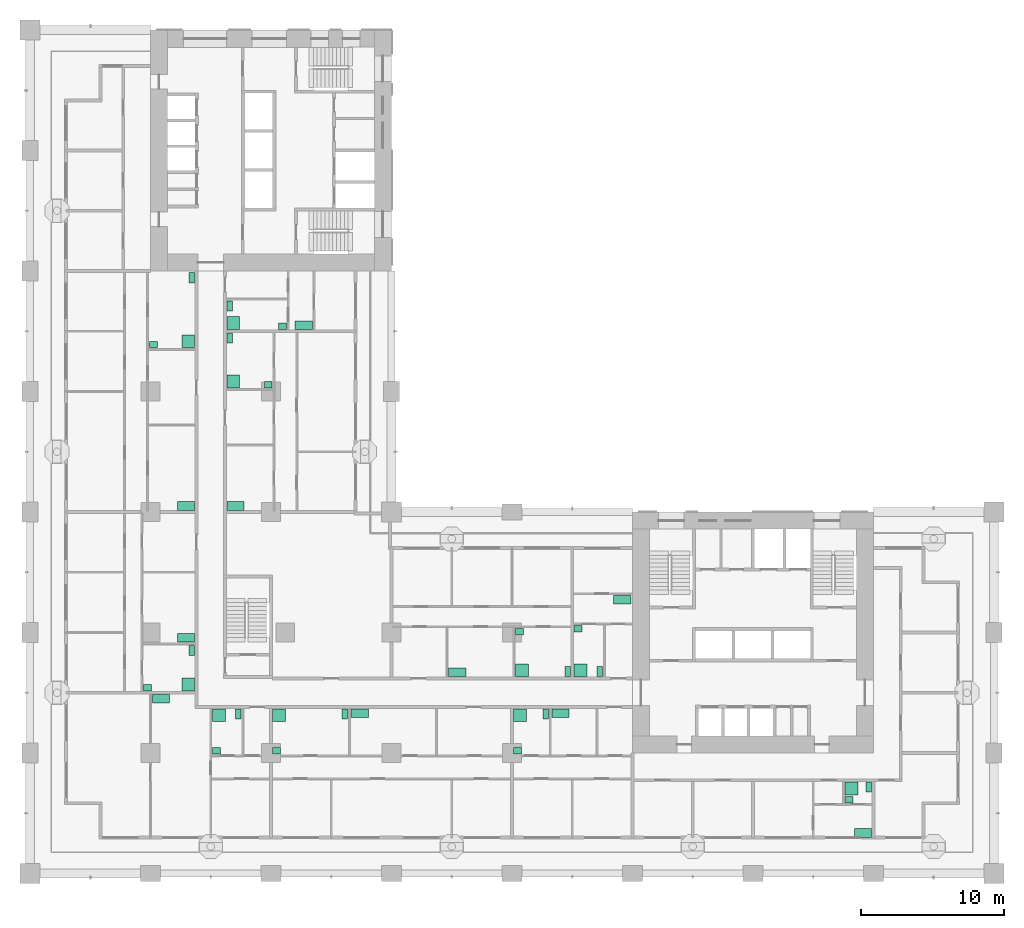
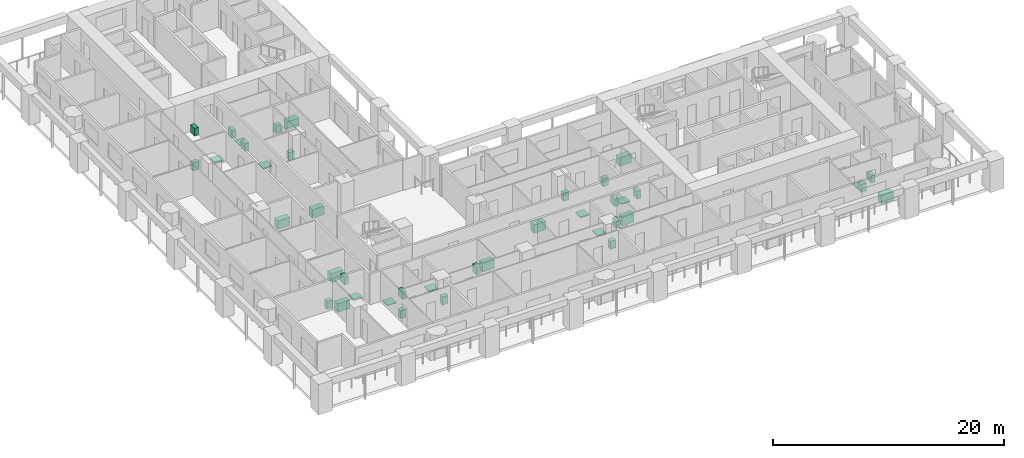
# One storey, part 18 of 20: 40 sanitary terminals.
"""IFC4 building model written with IfcOpenShell, lengths in metres."""

import ifcopenshell
import ifcopenshell.guid

model = None  # the IFC model being written
_history = None  # IfcOwnerHistory: only IFC2X3 demands one
_inside = {}  # id of a spatial element -> (the spatial element, [elements in it])
_under = {}  # id of a project, library or spatial element -> (it, [spatial elements below it])
_declared = {}  # id of a project -> (the project, [libraries it declares])
_typed = {}  # id of a type object -> (the type object, [elements of that type])
_made_of = {}  # id of a material, layer set ... -> (it, [elements and type objects made of it])


def new_model(schema):
    """Start an empty IFC model of exactly this schema.

    Asked for "IFC4X3", IfcOpenShell would pick the latest addendum, in which some entities
    have other attributes; the version numbers below select the first issue.
    IFC2X3 requires an IfcOwnerHistory on every rooted entity: one is made here for all.
    """
    global model, _history
    if schema == "IFC4X3":
        model = ifcopenshell.file(schema_version=(4, 3, 0, 0))
    else:
        model = ifcopenshell.file(schema=schema)
    _inside.clear()
    _under.clear()
    _declared.clear()
    _typed.clear()
    _made_of.clear()
    _history = None
    if model.schema == "IFC2X3":
        org = make("IfcOrganization", Name="unknown")
        user = make(
            "IfcPersonAndOrganization",
            ThePerson=make("IfcPerson", FamilyName="unknown"),
            TheOrganization=org,
        )
        app = make(
            "IfcApplication",
            ApplicationDeveloper=org,
            Version="unknown",
            ApplicationFullName="unknown",
            ApplicationIdentifier="unknown",
        )
        _history = make(
            "IfcOwnerHistory",
            OwningUser=user,
            OwningApplication=app,
            ChangeAction="ADDED",
            CreationDate=0,
        )
    return model


def make(cls, **values):
    """One entity of the class cls with the attributes given. An attribute that is None is left unset."""
    return model.create_entity(
        cls, **{name: value for name, value in values.items() if value is not None}
    )


def rooted(cls, **values):
    """An entity with a GlobalId (a new one), such as an element, a storey or a relation."""
    return make(cls, GlobalId=ifcopenshell.guid.new(), OwnerHistory=_history, **values)


def si_unit(unit_type, name, prefix=None):
    """IfcSIUnit, for example si_unit("LENGTHUNIT", "METRE", prefix="MILLI")."""
    return make("IfcSIUnit", UnitType=unit_type, Prefix=prefix, Name=name)


def assignment(units):
    """IfcUnitAssignment: the units of a project."""
    return None if units is None else make("IfcUnitAssignment", Units=units)


def point(xyz):
    """IfcCartesianPoint."""
    return None if xyz is None else make("IfcCartesianPoint", Coordinates=xyz)


def direction(xyz):
    """IfcDirection."""
    return None if xyz is None else make("IfcDirection", DirectionRatios=xyz)


def frame(location, z_axis=None, x_axis=None):
    """IfcAxis2Placement3D, a coordinate frame: its origin and axes. An axis left out is left unset."""
    return make(
        "IfcAxis2Placement3D",
        Location=point(location),
        Axis=direction(z_axis),
        RefDirection=direction(x_axis),
    )


def frame_2d(location, x_axis=None):
    """IfcAxis2Placement2D, a coordinate frame in the plane: its origin and x axis."""
    return make(
        "IfcAxis2Placement2D", Location=point(location), RefDirection=direction(x_axis)
    )


def origin():
    """The frame at (0, 0, 0) with its axes left unset."""
    return frame((0.0, 0.0, 0.0))


def origin_2d():
    """The frame at (0, 0) in the plane with its x axis left unset."""
    return frame_2d((0.0, 0.0))


def place(relative_to, where):
    """IfcLocalPlacement: puts the frame where relative to a parent placement (None: the world)."""
    return make(
        "IfcLocalPlacement", PlacementRelTo=relative_to, RelativePlacement=where
    )


def context(
    kind, dimensions, precision=None, world=None, true_north=None, identifier=None
):
    """IfcGeometricRepresentationContext, for example the 3D "Model" context."""
    return make(
        "IfcGeometricRepresentationContext",
        ContextIdentifier=identifier,
        ContextType=kind,
        CoordinateSpaceDimension=dimensions,
        Precision=precision,
        WorldCoordinateSystem=world,
        TrueNorth=true_north,
    )


def subcontext(parent, identifier, kind, view, scale=None):
    """IfcGeometricRepresentationSubContext, for example "Body" below "Model"."""
    return make(
        "IfcGeometricRepresentationSubContext",
        ContextIdentifier=identifier,
        ContextType=kind,
        ParentContext=parent,
        TargetScale=scale,
        TargetView=view,
    )


def project(units=None, contexts=None):
    """IfcProject with its units and contexts."""
    return rooted(
        "IfcProject",
        Name="project",
        RepresentationContexts=contexts,
        UnitsInContext=assignment(units),
    )


def spatial(cls, under=None, at=None, **own):
    """A site, building, storey or space (cls), placed at a placement, below another one or the project."""
    s = rooted(cls, ObjectPlacement=at, **own)
    if under is not None:
        _under.setdefault(under.id(), (under, []))[1].append(s)
    return s


def profile(cls, at=None, kind="AREA", **sizes):
    """A parametric profile (cls). Its sizes go by their IFC names, for example OverallWidth=200.0."""
    return make(cls, ProfileType=kind, Position=at, **sizes)


def rectangle(**sizes):
    """IfcRectangleProfileDef."""
    return profile("IfcRectangleProfileDef", **sizes)


def extrude(swept, where, along, depth):
    """IfcExtrudedAreaSolid: the profile swept, set in the frame where, extruded along a direction by depth."""
    return make(
        "IfcExtrudedAreaSolid",
        SweptArea=swept,
        Position=where,
        ExtrudedDirection=direction(along),
        Depth=depth,
    )


def shape(context_of_items, identifier, shape_type, items):
    """IfcShapeRepresentation: the items that make up one representation, for example the "Body"."""
    return make(
        "IfcShapeRepresentation",
        ContextOfItems=context_of_items,
        RepresentationIdentifier=identifier,
        RepresentationType=shape_type,
        Items=items,
    )


def material(Name=None, Category=None):
    """IfcMaterial."""
    return make("IfcMaterial", Name=Name, Category=Category)


def made_of(thing, what):
    """Note that an element or type object is made of a material, layer set ...; save() writes the relation."""
    if what is not None:
        _made_of.setdefault(what.id(), (what, []))[1].append(thing)
    return thing


def element(
    cls,
    number,
    at=None,
    inside=None,
    cuts=None,
    type_object=None,
    material=None,
    context=None,
    identifier="Body",
    shape_type=None,
    held_by="IfcProductDefinitionShape",
    body=None,
    shapes=None,
    **own,
):
    """One element of the class cls, such as IfcWall. Its Tag is "e" and its number.

    at: its placement. inside: the storey or other place that contains it. cuts: it is an
    opening in that element (IfcRelVoidsElement). A single representation is given by context,
    identifier, shape_type and body (its items); several are given by shapes. held_by: the class
    of the entity that holds the representations. save() writes the other relations.
    """
    e = rooted(cls, Tag="e%d" % number, ObjectPlacement=at, **own)
    if body is not None:
        shapes = [shape(context, identifier, shape_type, body)]
    if shapes is not None:
        e.Representation = make(held_by, Representations=shapes)
    if inside is not None:
        _inside.setdefault(inside.id(), (inside, []))[1].append(e)
    if cuts is not None:
        rooted(
            "IfcRelVoidsElement", RelatingBuildingElement=cuts, RelatedOpeningElement=e
        )
    if type_object is not None:
        _typed.setdefault(type_object.id(), (type_object, []))[1].append(e)
    return made_of(e, material)


def aggregate(whole, parts):
    """IfcRelAggregates: a whole, such as a stair, and the parts it consists of."""
    return rooted("IfcRelAggregates", RelatingObject=whole, RelatedObjects=parts)


def save(model, path):
    """Write the relations noted so far, then the file.

    IfcRelAggregates (storeys below a building ...), IfcRelContainedInSpatialStructure (elements
    in a storey), IfcRelDefinesByType, IfcRelAssociatesMaterial and IfcRelDeclares: one each for
    every whole, place, type object, material and project.
    """
    for whole, parts in _under.values():
        aggregate(whole, parts)
    for where, things in _inside.values():
        rooted(
            "IfcRelContainedInSpatialStructure",
            RelatedElements=things,
            RelatingStructure=where,
        )
    for kind, things in _typed.values():
        rooted("IfcRelDefinesByType", RelatedObjects=things, RelatingType=kind)
    for what, things in _made_of.values():
        rooted("IfcRelAssociatesMaterial", RelatedObjects=things, RelatingMaterial=what)
    for by, libraries in _declared.values():
        rooted("IfcRelDeclares", RelatingContext=by, RelatedDefinitions=libraries)
    model.write(path)


model = new_model("IFC4")

# Units and contexts
model_context = context("Model", 3, precision=1e-05, world=origin(), true_north=direction((0.0, 1.0)))
body_context = subcontext(model_context, "Body", "Model", "MODEL_VIEW")
ifc_project = project(units=[si_unit("LENGTHUNIT", "METRE"), si_unit("AREAUNIT", "SQUARE_METRE"), si_unit("VOLUMEUNIT", "CUBIC_METRE"), si_unit("PLANEANGLEUNIT", "RADIAN"), si_unit("MASSUNIT", "GRAM", prefix="KILO")], contexts=[model_context])

# Site, building, storey
site_placement = place(None, origin())
site = spatial("IfcSite", under=ifc_project, at=site_placement, CompositionType="ELEMENT")
building_placement = place(site_placement, origin())
building = spatial("IfcBuilding", under=site, at=building_placement, Name="Vermilion Gate Residences", CompositionType="ELEMENT")
storey_placement = place(building_placement, frame((0.0, 0.0, 39.199951171875)))
storey = spatial("IfcBuildingStorey", under=building, at=storey_placement, Name="L08", CompositionType="ELEMENT", Elevation=39.199951171875)

# Sanitary terminals
ifc_material_1 = material(Name="Stainless steel", Category="steel")
sanitary_terminal_1_placement = place(storey_placement, frame((9.1201171875, 12.179931640625, 0.0), z_axis=(0.0, 0.0, 1.0), x_axis=(1.0, 0.0, 0.0)))
element("IfcSanitaryTerminal", 1, at=sanitary_terminal_1_placement, inside=storey, material=ifc_material_1, Name="Kitchen sink", PredefinedType="SINK", context=body_context, shape_type="SweptSolid", body=[
    extrude(rectangle(XDim=1.199951171875, YDim=0.60009765625, at=origin_2d()), origin(), (0.0, 0.0, 1.0), 0.89990234375),
])
ifc_material_2 = material(Name="Vitreous china")
sanitary_terminal_2_placement = place(storey_placement, frame((13.169921875, 11.030029296875, 0.0), z_axis=(0.0, 0.0, 1.0), x_axis=(1.0, 0.0, 0.0)))
element("IfcSanitaryTerminal", 2, at=sanitary_terminal_2_placement, inside=storey, material=ifc_material_2, Name="Shower tray", PredefinedType="SHOWER", context=body_context, shape_type="SweptSolid", body=[
    extrude(rectangle(XDim=0.89990234375, YDim=0.89990234375, at=origin_2d()), origin(), (0.0, 0.0, 1.0), 0.10009765625),
])
sanitary_terminal_3_placement = place(storey_placement, frame((14.52001953125, 11.1298828125, 0.0), z_axis=(0.0, 0.0, 1.0), x_axis=(1.0, 0.0, 0.0)))
element("IfcSanitaryTerminal", 3, at=sanitary_terminal_3_placement, inside=storey, material=ifc_material_2, Name="Toilet", PredefinedType="TOILETPAN", context=body_context, shape_type="SweptSolid", body=[
    extrude(rectangle(XDim=0.39990234375, YDim=0.699951171875, at=origin_2d()), origin(), (0.0, 0.0, 1.0), 0.800048828125),
])
sanitary_terminal_4_placement = place(storey_placement, frame((12.9951171875, 8.544921875, 0.0), z_axis=(0.0, 0.0, 1.0), x_axis=(1.0, 0.0, 0.0)))
element("IfcSanitaryTerminal", 4, at=sanitary_terminal_4_placement, inside=storey, material=ifc_material_2, Name="Wash basin", PredefinedType="WASHHANDBASIN", context=body_context, shape_type="SweptSolid", body=[
    extrude(rectangle(XDim=0.550048828125, YDim=0.449951171875, at=origin_2d()), origin(), (0.0, 0.0, 1.0), 0.85009765625),
])
sanitary_terminal_5_placement = place(storey_placement, frame((17.3701171875, 11.030029296875, 0.0), z_axis=(0.0, 0.0, 1.0), x_axis=(1.0, 0.0, 0.0)))
element("IfcSanitaryTerminal", 5, at=sanitary_terminal_5_placement, inside=storey, material=ifc_material_2, Name="Shower tray", PredefinedType="SHOWER", context=body_context, shape_type="SweptSolid", body=[
    extrude(rectangle(XDim=0.89990234375, YDim=0.89990234375, at=origin_2d()), origin(), (0.0, 0.0, 1.0), 0.10009765625),
])
sanitary_terminal_6_placement = place(storey_placement, frame((21.947021484375, 11.1298828125, 0.0), z_axis=(0.0, 0.0, 1.0), x_axis=(1.0, 0.0, 0.0)))
element("IfcSanitaryTerminal", 6, at=sanitary_terminal_6_placement, inside=storey, material=ifc_material_2, Name="Toilet", PredefinedType="TOILETPAN", context=body_context, shape_type="SweptSolid", body=[
    extrude(rectangle(XDim=0.39990234375, YDim=0.699951171875, at=origin_2d()), origin(), (0.0, 0.0, 1.0), 0.800048828125),
])
sanitary_terminal_7_placement = place(storey_placement, frame((17.195068359375, 8.544921875, 0.0), z_axis=(0.0, 0.0, 1.0), x_axis=(1.0, 0.0, 0.0)))
element("IfcSanitaryTerminal", 7, at=sanitary_terminal_7_placement, inside=storey, material=ifc_material_2, Name="Wash basin", PredefinedType="WASHHANDBASIN", context=body_context, shape_type="SweptSolid", body=[
    extrude(rectangle(XDim=0.550048828125, YDim=0.449951171875, at=origin_2d()), origin(), (0.0, 0.0, 1.0), 0.85009765625),
])
sanitary_terminal_8_placement = place(storey_placement, frame((22.987060546875, 11.179931640625, 0.0), z_axis=(0.0, 0.0, 1.0), x_axis=(1.0, 0.0, 0.0)))
element("IfcSanitaryTerminal", 8, at=sanitary_terminal_8_placement, inside=storey, material=ifc_material_1, Name="Kitchen sink", PredefinedType="SINK", context=body_context, shape_type="SweptSolid", body=[
    extrude(rectangle(XDim=1.199951171875, YDim=0.60009765625, at=origin_2d()), origin(), (0.0, 0.0, 1.0), 0.89990234375),
])
sanitary_terminal_9_placement = place(storey_placement, frame((34.169921875, 11.030029296875, 0.0), z_axis=(0.0, 0.0, 1.0), x_axis=(1.0, 0.0, 0.0)))
element("IfcSanitaryTerminal", 9, at=sanitary_terminal_9_placement, inside=storey, material=ifc_material_2, Name="Shower tray", PredefinedType="SHOWER", context=body_context, shape_type="SweptSolid", body=[
    extrude(rectangle(XDim=0.89990234375, YDim=0.89990234375, at=origin_2d()), origin(), (0.0, 0.0, 1.0), 0.10009765625),
])
sanitary_terminal_10_placement = place(storey_placement, frame((35.947021484375, 11.1298828125, 0.0), z_axis=(0.0, 0.0, 1.0), x_axis=(1.0, 0.0, 0.0)))
element("IfcSanitaryTerminal", 10, at=sanitary_terminal_10_placement, inside=storey, material=ifc_material_2, Name="Toilet", PredefinedType="TOILETPAN", context=body_context, shape_type="SweptSolid", body=[
    extrude(rectangle(XDim=0.39990234375, YDim=0.699951171875, at=origin_2d()), origin(), (0.0, 0.0, 1.0), 0.800048828125),
])
sanitary_terminal_11_placement = place(storey_placement, frame((33.9951171875, 8.544921875, 0.0), z_axis=(0.0, 0.0, 1.0), x_axis=(1.0, 0.0, 0.0)))
element("IfcSanitaryTerminal", 11, at=sanitary_terminal_11_placement, inside=storey, material=ifc_material_2, Name="Wash basin", PredefinedType="WASHHANDBASIN", context=body_context, shape_type="SweptSolid", body=[
    extrude(rectangle(XDim=0.550048828125, YDim=0.449951171875, at=origin_2d()), origin(), (0.0, 0.0, 1.0), 0.85009765625),
])
for number, where, z_axis, x_axis, name in (
    (12, (36.987060546875, 11.179931640625, 0.0), (0.0, 0.0, 1.0), (1.0, 0.0, 0.0), "Kitchen sink"),
    (13, (29.787109375, 14.02001953125, 0.0), (0.0, 0.0, 1.0), (1.0, 0.0, 0.0), "Kitchen sink"),
):
    element("IfcSanitaryTerminal", number, at=place(storey_placement, frame(where, z_axis=z_axis, x_axis=x_axis)), inside=storey, material=ifc_material_1, Name=name, PredefinedType="SINK", context=body_context, shape_type="SweptSolid", body=[
        extrude(rectangle(XDim=1.199951171875, YDim=0.60009765625, at=origin_2d()), origin(), (0.0, 0.0, 1.0), 0.89990234375),
    ])
sanitary_terminal_12_placement = place(storey_placement, frame((34.302978515625, 14.169921875, 0.0), z_axis=(0.0, 0.0, 1.0), x_axis=(1.0, 0.0, 0.0)))
element("IfcSanitaryTerminal", 14, at=sanitary_terminal_12_placement, inside=storey, material=ifc_material_2, Name="Shower tray", PredefinedType="SHOWER", context=body_context, shape_type="SweptSolid", body=[
    extrude(rectangle(XDim=0.89990234375, YDim=0.89990234375, at=origin_2d()), origin(), (0.0, 0.0, 1.0), 0.10009765625),
])
sanitary_terminal_13_placement = place(storey_placement, frame((37.47998046875, 14.070068359375, 0.0), z_axis=(0.0, 0.0, 1.0), x_axis=(1.0, 0.0, 0.0)))
element("IfcSanitaryTerminal", 15, at=sanitary_terminal_13_placement, inside=storey, material=ifc_material_2, Name="Toilet", PredefinedType="TOILETPAN", context=body_context, shape_type="SweptSolid", body=[
    extrude(rectangle(XDim=0.39990234375, YDim=0.699951171875, at=origin_2d()), origin(), (0.0, 0.0, 1.0), 0.800048828125),
])
sanitary_terminal_14_placement = place(storey_placement, frame((34.1279296875, 16.85498046875, 0.0), z_axis=(0.0, 0.0, 1.0), x_axis=(1.0, 0.0, 0.0)))
element("IfcSanitaryTerminal", 16, at=sanitary_terminal_14_placement, inside=storey, material=ifc_material_2, Name="Wash basin", PredefinedType="WASHHANDBASIN", context=body_context, shape_type="SweptSolid", body=[
    extrude(rectangle(XDim=0.550048828125, YDim=0.449951171875, at=origin_2d()), origin(), (0.0, 0.0, 1.0), 0.85009765625),
])
sanitary_terminal_15_placement = place(storey_placement, frame((41.280029296875, 19.080078125, 0.0), z_axis=(0.0, 0.0, 1.0), x_axis=(1.0, 0.0, 0.0)))
element("IfcSanitaryTerminal", 17, at=sanitary_terminal_15_placement, inside=storey, material=ifc_material_1, Name="Kitchen sink", PredefinedType="SINK", context=body_context, shape_type="SweptSolid", body=[
    extrude(rectangle(XDim=1.199951171875, YDim=0.60009765625, at=origin_2d()), origin(), (0.0, 0.0, 1.0), 0.89990234375),
])
sanitary_terminal_16_placement = place(storey_placement, frame((38.3701171875, 14.169921875, 0.0), z_axis=(0.0, 0.0, 1.0), x_axis=(1.0, 0.0, 0.0)))
element("IfcSanitaryTerminal", 18, at=sanitary_terminal_16_placement, inside=storey, material=ifc_material_2, Name="Shower tray", PredefinedType="SHOWER", context=body_context, shape_type="SweptSolid", body=[
    extrude(rectangle(XDim=0.89990234375, YDim=0.89990234375, at=origin_2d()), origin(), (0.0, 0.0, 1.0), 0.10009765625),
])
sanitary_terminal_17_placement = place(storey_placement, frame((39.719970703125, 14.070068359375, 0.0), z_axis=(0.0, 0.0, 1.0), x_axis=(1.0, 0.0, 0.0)))
element("IfcSanitaryTerminal", 19, at=sanitary_terminal_17_placement, inside=storey, material=ifc_material_2, Name="Toilet", PredefinedType="TOILETPAN", context=body_context, shape_type="SweptSolid", body=[
    extrude(rectangle(XDim=0.39990234375, YDim=0.699951171875, at=origin_2d()), origin(), (0.0, 0.0, 1.0), 0.800048828125),
])
sanitary_terminal_18_placement = place(storey_placement, frame((38.195068359375, 17.054931640625, 0.0), z_axis=(0.0, 0.0, 1.0), x_axis=(1.0, 0.0, 0.0)))
element("IfcSanitaryTerminal", 20, at=sanitary_terminal_18_placement, inside=storey, material=ifc_material_2, Name="Wash basin", PredefinedType="WASHHANDBASIN", context=body_context, shape_type="SweptSolid", body=[
    extrude(rectangle(XDim=0.550048828125, YDim=0.449951171875, at=origin_2d()), origin(), (0.0, 0.0, 1.0), 0.85009765625),
])
sanitary_terminal_19_placement = place(storey_placement, frame((11.030029296875, 13.169921875, 0.0), z_axis=(0.0, 0.0, 1.0), x_axis=(1.0, 0.0, 0.0)))
element("IfcSanitaryTerminal", 21, at=sanitary_terminal_19_placement, inside=storey, material=ifc_material_2, Name="Shower tray", PredefinedType="SHOWER", context=body_context, shape_type="SweptSolid", body=[
    extrude(rectangle(XDim=0.89990234375, YDim=0.89990234375, at=origin_2d()), origin(), (0.0, 0.0, 1.0), 0.10009765625),
])
sanitary_terminal_20_placement = place(storey_placement, frame((11.280029296875, 15.530029296875, 0.0), z_axis=(0.0, 0.0, 1.0), x_axis=(1.0, 0.0, 0.0)))
element("IfcSanitaryTerminal", 22, at=sanitary_terminal_20_placement, inside=storey, material=ifc_material_2, Name="Toilet", PredefinedType="TOILETPAN", context=body_context, shape_type="SweptSolid", body=[
    extrude(rectangle(XDim=0.39990234375, YDim=0.699951171875, at=origin_2d()), origin(), (0.0, 0.0, 1.0), 0.800048828125),
])
sanitary_terminal_21_placement = place(storey_placement, frame((8.195068359375, 12.945068359375, 0.0), z_axis=(0.0, 0.0, 1.0), x_axis=(1.0, 0.0, 0.0)))
element("IfcSanitaryTerminal", 23, at=sanitary_terminal_21_placement, inside=storey, material=ifc_material_2, Name="Wash basin", PredefinedType="WASHHANDBASIN", context=body_context, shape_type="SweptSolid", body=[
    extrude(rectangle(XDim=0.550048828125, YDim=0.449951171875, at=origin_2d()), origin(), (0.0, 0.0, 1.0), 0.85009765625),
])
for number, where, z_axis, x_axis, name in (
    (24, (10.8798828125, 16.419921875, 0.0), (0.0, 0.0, 1.0), (1.0, 0.0, 0.0), "Kitchen sink"),
    (25, (10.8798828125, 25.6201171875, 0.0), (0.0, 0.0, 1.0), (1.0, 0.0, 0.0), "Kitchen sink"),
):
    element("IfcSanitaryTerminal", number, at=place(storey_placement, frame(where, z_axis=z_axis, x_axis=x_axis)), inside=storey, material=ifc_material_1, Name=name, PredefinedType="SINK", context=body_context, shape_type="SweptSolid", body=[
        extrude(rectangle(XDim=1.199951171875, YDim=0.60009765625, at=origin_2d()), origin(), (0.0, 0.0, 1.0), 0.89990234375),
    ])
sanitary_terminal_22_placement = place(storey_placement, frame((11.030029296875, 37.10302734375, 0.0), z_axis=(0.0, 0.0, 1.0), x_axis=(1.0, 0.0, 0.0)))
element("IfcSanitaryTerminal", 26, at=sanitary_terminal_22_placement, inside=storey, material=ifc_material_2, Name="Shower tray", PredefinedType="SHOWER", context=body_context, shape_type="SweptSolid", body=[
    extrude(rectangle(XDim=0.89990234375, YDim=0.89990234375, at=origin_2d()), origin(), (0.0, 0.0, 1.0), 0.10009765625),
])
sanitary_terminal_23_placement = place(storey_placement, frame((11.280029296875, 41.530029296875, 0.0), z_axis=(0.0, 0.0, 1.0), x_axis=(1.0, 0.0, 0.0)))
element("IfcSanitaryTerminal", 27, at=sanitary_terminal_23_placement, inside=storey, material=ifc_material_2, Name="Toilet", PredefinedType="TOILETPAN", context=body_context, shape_type="SweptSolid", body=[
    extrude(rectangle(XDim=0.39990234375, YDim=0.699951171875, at=origin_2d()), origin(), (0.0, 0.0, 1.0), 0.800048828125),
])
sanitary_terminal_24_placement = place(storey_placement, frame((8.594970703125, 36.8779296875, 0.0), z_axis=(0.0, 0.0, 1.0), x_axis=(1.0, 0.0, 0.0)))
element("IfcSanitaryTerminal", 28, at=sanitary_terminal_24_placement, inside=storey, material=ifc_material_2, Name="Wash basin", PredefinedType="WASHHANDBASIN", context=body_context, shape_type="SweptSolid", body=[
    extrude(rectangle(XDim=0.550048828125, YDim=0.449951171875, at=origin_2d()), origin(), (0.0, 0.0, 1.0), 0.85009765625),
])
sanitary_terminal_25_placement = place(storey_placement, frame((14.320068359375, 25.6201171875, 0.0), z_axis=(0.0, 0.0, 1.0), x_axis=(1.0, 0.0, 0.0)))
element("IfcSanitaryTerminal", 29, at=sanitary_terminal_25_placement, inside=storey, material=ifc_material_1, Name="Kitchen sink", PredefinedType="SINK", context=body_context, shape_type="SweptSolid", body=[
    extrude(rectangle(XDim=1.199951171875, YDim=0.60009765625, at=origin_2d()), origin(), (0.0, 0.0, 1.0), 0.89990234375),
])
sanitary_terminal_26_placement = place(storey_placement, frame((14.169921875, 34.302978515625, 0.0), z_axis=(0.0, 0.0, 1.0), x_axis=(1.0, 0.0, 0.0)))
element("IfcSanitaryTerminal", 30, at=sanitary_terminal_26_placement, inside=storey, material=ifc_material_2, Name="Shower tray", PredefinedType="SHOWER", context=body_context, shape_type="SweptSolid", body=[
    extrude(rectangle(XDim=0.89990234375, YDim=0.89990234375, at=origin_2d()), origin(), (0.0, 0.0, 1.0), 0.10009765625),
])
sanitary_terminal_27_placement = place(storey_placement, frame((13.919921875, 37.330078125, 0.0), z_axis=(0.0, 0.0, 1.0), x_axis=(1.0, 0.0, 0.0)))
element("IfcSanitaryTerminal", 31, at=sanitary_terminal_27_placement, inside=storey, material=ifc_material_2, Name="Toilet", PredefinedType="TOILETPAN", context=body_context, shape_type="SweptSolid", body=[
    extrude(rectangle(XDim=0.39990234375, YDim=0.699951171875, at=origin_2d()), origin(), (0.0, 0.0, 1.0), 0.800048828125),
])
sanitary_terminal_28_placement = place(storey_placement, frame((16.60498046875, 34.077880859375, 0.0), z_axis=(0.0, 0.0, 1.0), x_axis=(1.0, 0.0, 0.0)))
element("IfcSanitaryTerminal", 32, at=sanitary_terminal_28_placement, inside=storey, material=ifc_material_2, Name="Wash basin", PredefinedType="WASHHANDBASIN", context=body_context, shape_type="SweptSolid", body=[
    extrude(rectangle(XDim=0.550048828125, YDim=0.449951171875, at=origin_2d()), origin(), (0.0, 0.0, 1.0), 0.85009765625),
])
sanitary_terminal_29_placement = place(storey_placement, frame((19.080078125, 38.219970703125, 0.0), z_axis=(0.0, 0.0, 1.0), x_axis=(1.0, 0.0, 0.0)))
element("IfcSanitaryTerminal", 33, at=sanitary_terminal_29_placement, inside=storey, material=ifc_material_1, Name="Kitchen sink", PredefinedType="SINK", context=body_context, shape_type="SweptSolid", body=[
    extrude(rectangle(XDim=1.199951171875, YDim=0.60009765625, at=origin_2d()), origin(), (0.0, 0.0, 1.0), 0.89990234375),
])
sanitary_terminal_30_placement = place(storey_placement, frame((14.169921875, 38.3701171875, 0.0), z_axis=(0.0, 0.0, 1.0), x_axis=(1.0, 0.0, 0.0)))
element("IfcSanitaryTerminal", 34, at=sanitary_terminal_30_placement, inside=storey, material=ifc_material_2, Name="Shower tray", PredefinedType="SHOWER", context=body_context, shape_type="SweptSolid", body=[
    extrude(rectangle(XDim=0.89990234375, YDim=0.89990234375, at=origin_2d()), origin(), (0.0, 0.0, 1.0), 0.10009765625),
])
sanitary_terminal_31_placement = place(storey_placement, frame((13.919921875, 39.570068359375, 0.0), z_axis=(0.0, 0.0, 1.0), x_axis=(1.0, 0.0, 0.0)))
element("IfcSanitaryTerminal", 35, at=sanitary_terminal_31_placement, inside=storey, material=ifc_material_2, Name="Toilet", PredefinedType="TOILETPAN", context=body_context, shape_type="SweptSolid", body=[
    extrude(rectangle(XDim=0.39990234375, YDim=0.699951171875, at=origin_2d()), origin(), (0.0, 0.0, 1.0), 0.800048828125),
])
sanitary_terminal_32_placement = place(storey_placement, frame((17.60498046875, 38.14501953125, 0.0), z_axis=(0.0, 0.0, 1.0), x_axis=(1.0, 0.0, 0.0)))
element("IfcSanitaryTerminal", 36, at=sanitary_terminal_32_placement, inside=storey, material=ifc_material_2, Name="Wash basin", PredefinedType="WASHHANDBASIN", context=body_context, shape_type="SweptSolid", body=[
    extrude(rectangle(XDim=0.550048828125, YDim=0.449951171875, at=origin_2d()), origin(), (0.0, 0.0, 1.0), 0.85009765625),
])
sanitary_terminal_33_placement = place(storey_placement, frame((58.080078125, 2.820068359375, 0.0), z_axis=(0.0, 0.0, 1.0), x_axis=(1.0, 0.0, 0.0)))
element("IfcSanitaryTerminal", 37, at=sanitary_terminal_33_placement, inside=storey, material=ifc_material_1, Name="Kitchen sink", PredefinedType="SINK", context=body_context, shape_type="SweptSolid", body=[
    extrude(rectangle(XDim=1.199951171875, YDim=0.60009765625, at=origin_2d()), origin(), (0.0, 0.0, 1.0), 0.89990234375),
])
sanitary_terminal_34_placement = place(storey_placement, frame((57.27001953125, 5.929931640625, 0.0), z_axis=(0.0, 0.0, 1.0), x_axis=(1.0, 0.0, 0.0)))
element("IfcSanitaryTerminal", 38, at=sanitary_terminal_34_placement, inside=storey, material=ifc_material_2, Name="Shower tray", PredefinedType="SHOWER", context=body_context, shape_type="SweptSolid", body=[
    extrude(rectangle(XDim=0.89990234375, YDim=0.89990234375, at=origin_2d()), origin(), (0.0, 0.0, 1.0), 0.10009765625),
])
sanitary_terminal_35_placement = place(storey_placement, frame((58.47998046875, 6.030029296875, 0.0), z_axis=(0.0, 0.0, 1.0), x_axis=(1.0, 0.0, 0.0)))
element("IfcSanitaryTerminal", 39, at=sanitary_terminal_35_placement, inside=storey, material=ifc_material_2, Name="Toilet", PredefinedType="TOILETPAN", context=body_context, shape_type="SweptSolid", body=[
    extrude(rectangle(XDim=0.39990234375, YDim=0.699951171875, at=origin_2d()), origin(), (0.0, 0.0, 1.0), 0.800048828125),
])
sanitary_terminal_36_placement = place(storey_placement, frame((57.094970703125, 5.14501953125, 0.0), z_axis=(0.0, 0.0, 1.0), x_axis=(1.0, 0.0, 0.0)))
element("IfcSanitaryTerminal", 40, at=sanitary_terminal_36_placement, inside=storey, material=ifc_material_2, Name="Wash basin", PredefinedType="WASHHANDBASIN", context=body_context, shape_type="SweptSolid", body=[
    extrude(rectangle(XDim=0.550048828125, YDim=0.449951171875, at=origin_2d()), origin(), (0.0, 0.0, 1.0), 0.85009765625),
])

save(model, "model.ifc")
